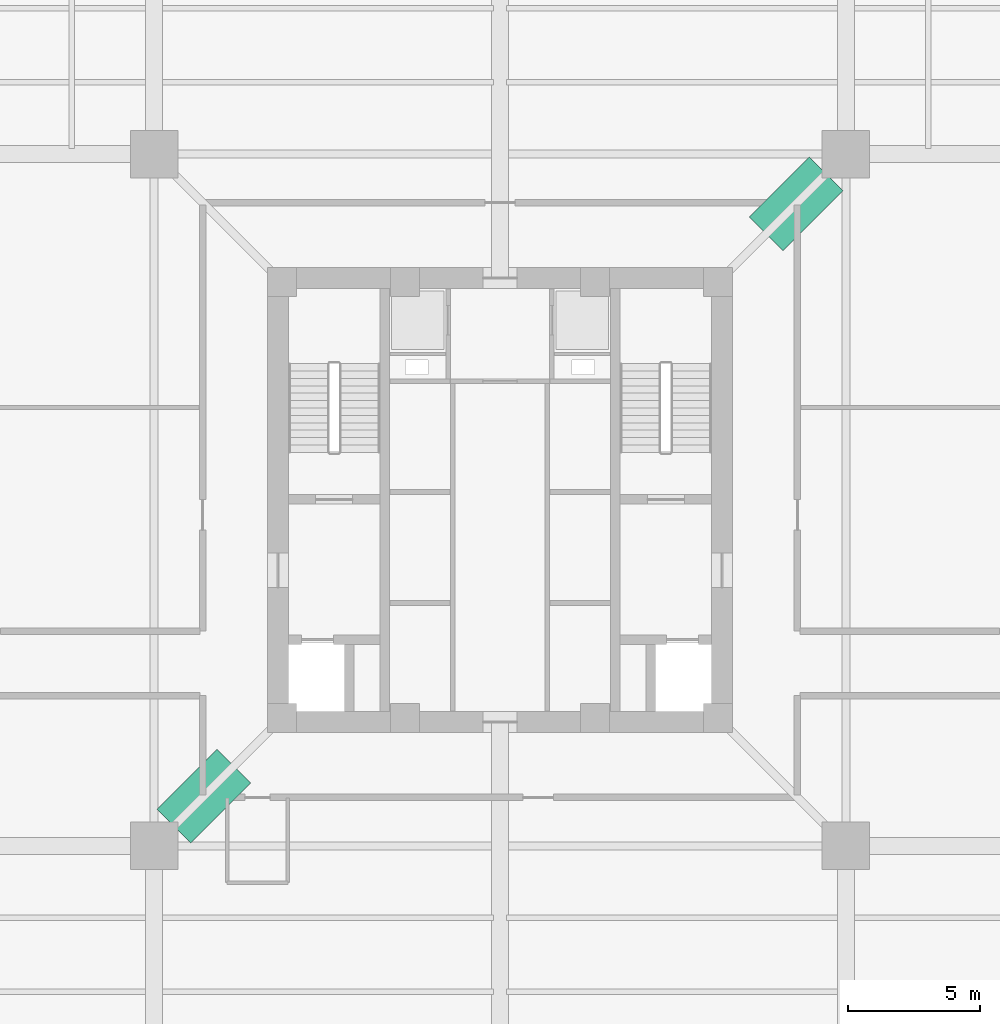
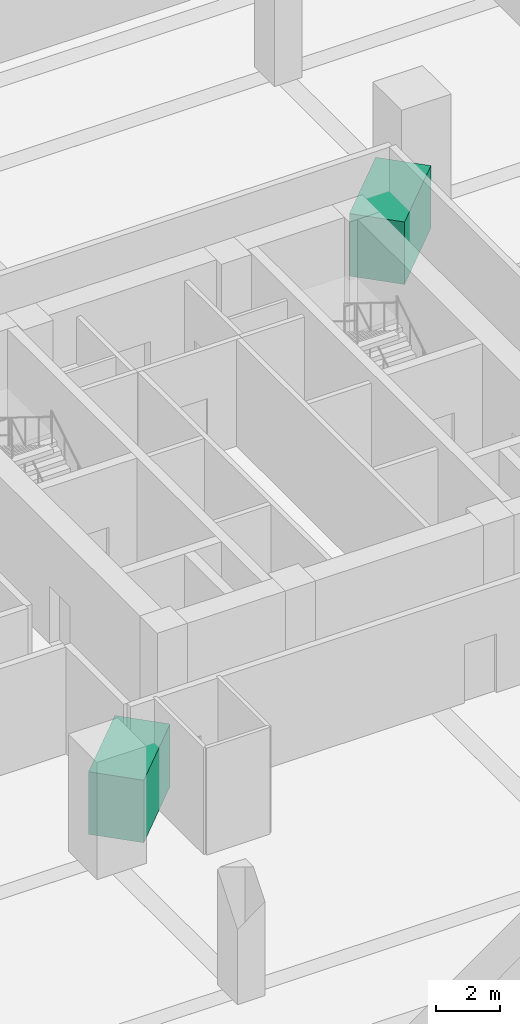
# One storey, part 8 of 9: 2 unitary equipment elements.
"""IFC4 building model written with IfcOpenShell, lengths in metres."""

from ifc_helpers import new_model, si_unit, direction, frame, origin, origin_2d, place, context, subcontext, project, spatial, rectangle, extrude, source, transform, mapped, material, type_object, element, save


model = new_model("IFC4")

# Units and contexts
model_context = context("Model", 3, precision=1e-05, world=origin(), true_north=direction((0.0, 1.0)))
body_context = subcontext(model_context, "Body", "Model", "MODEL_VIEW")
ifc_project = project(units=[si_unit("LENGTHUNIT", "METRE"), si_unit("AREAUNIT", "SQUARE_METRE"), si_unit("VOLUMEUNIT", "CUBIC_METRE"), si_unit("PLANEANGLEUNIT", "RADIAN"), si_unit("MASSUNIT", "GRAM", prefix="KILO"), si_unit("THERMODYNAMICTEMPERATUREUNIT", "KELVIN")], contexts=[model_context])

# Site, building, storey
site_placement = place(None, origin())
site = spatial("IfcSite", under=ifc_project, at=site_placement, CompositionType="ELEMENT")
building_placement = place(site_placement, origin())
building = spatial("IfcBuilding", under=site, at=building_placement, Name="Kosmvard Interchange Tower", CompositionType="ELEMENT")
storey_placement = place(building_placement, frame((0.0, 0.0, -4.5)))
storey = spatial("IfcBuildingStorey", under=building, at=storey_placement, Name="B01", CompositionType="ELEMENT", Elevation=-4.5)

# Unitary equipment
ifc_material = material(Name="Steel S355", Category="steel")
unitary_equipment_type = type_object("IfcUnitaryEquipmentType", Name="Centrifugal Water-Cooled Chiller & Heat Recovery Unit", PredefinedType="USERDEFINED", material=ifc_material)
shared_shape = source(origin(), body_context, "Body", "SweptSolid", [
    extrude(rectangle(XDim=3.199951171875, YDim=1.800048828125, at=origin_2d()), origin(), (0.0, 0.0, 1.0), 2.39990234375),
])
for number, where, z_axis, x_axis, name in (
    (1, (11.199951171875, 11.199951171875, 0.0), (0.0, 0.0, 1.0), (0.707106781187, 0.707106781187, 0.0), "B01 Zone Plant Unit CH1"),
    (2, (-11.199951171875, -11.199951171875, 0.0), (0.0, 0.0, 1.0), (0.707106781187, 0.707106781187, 0.0), "B01 Zone Plant Unit AH1"),
):
    element("IfcUnitaryEquipment", number, at=place(storey_placement, frame(where, z_axis=z_axis, x_axis=x_axis)), inside=storey, type_object=unitary_equipment_type, Name=name, ObjectType="CHILLER", PredefinedType="USERDEFINED", context=body_context, shape_type="MappedRepresentation", body=[
        mapped(shared_shape, transform((0.0, 0.0, 0.0), scale=1.0)),
    ])

save(model, "model.ifc")
